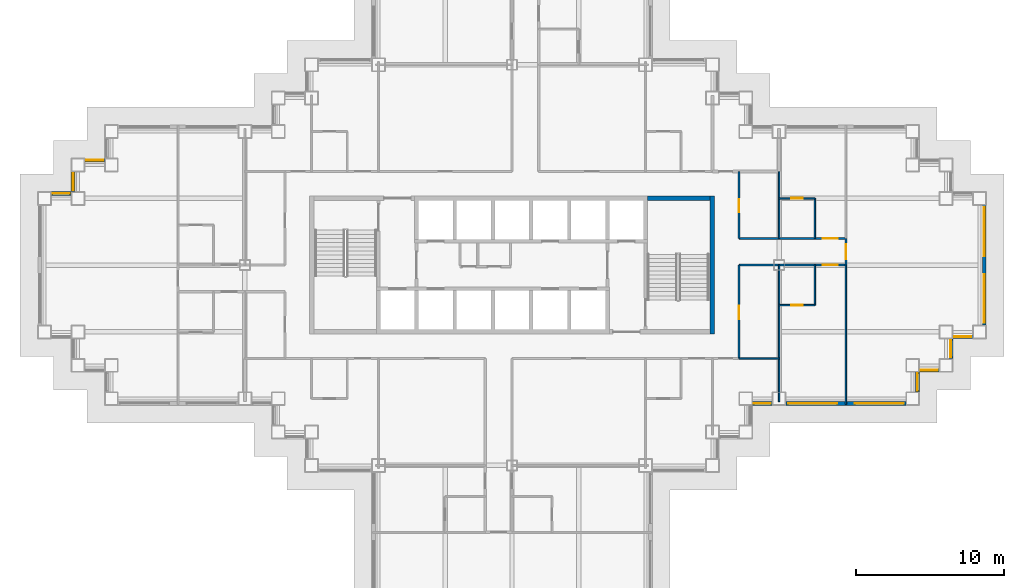
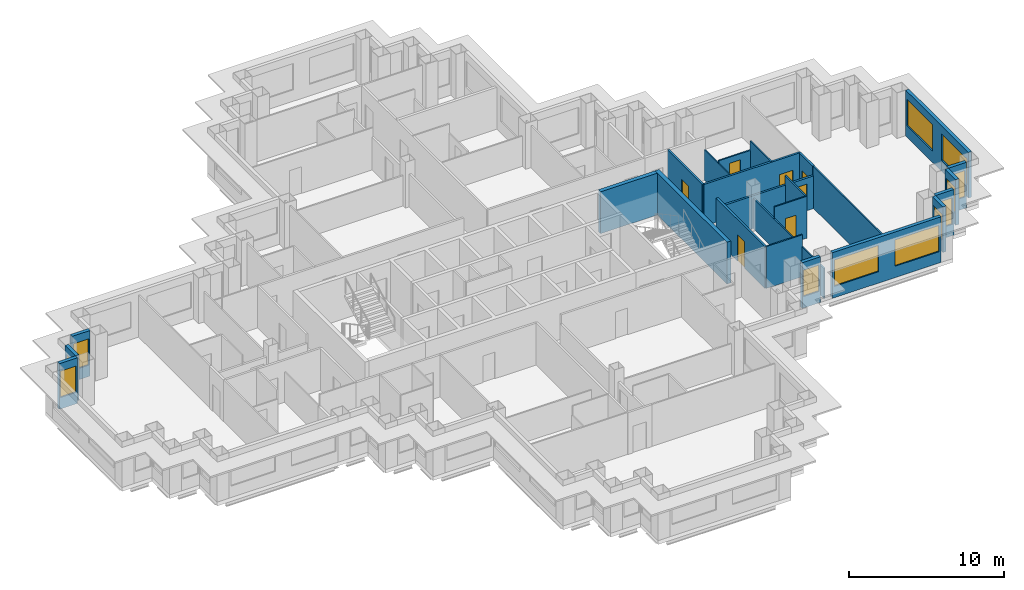
# One storey, part 6 of 14: 25 walls, 12 windows, 7 doors, 19 openings.
"""IFC4 building model written with IfcOpenShell, lengths in metres."""

from ifc_helpers import new_model, si_unit, direction, frame, frame_2d, origin, place, context, subcontext, project, spatial, rectangle, extrude, material, layer, layer_set, type_object, element, fill, save


model = new_model("IFC4")

# Units and contexts
model_context = context("Model", 3, precision=1e-05, world=origin(), true_north=direction((0.0, 1.0)))
body_context = subcontext(model_context, "Body", "Model", "MODEL_VIEW")
ifc_project = project(units=[si_unit("LENGTHUNIT", "METRE"), si_unit("AREAUNIT", "SQUARE_METRE"), si_unit("VOLUMEUNIT", "CUBIC_METRE"), si_unit("PLANEANGLEUNIT", "RADIAN"), si_unit("MASSUNIT", "GRAM", prefix="KILO")], contexts=[model_context])

# Site, building, storey
site_placement = place(None, origin())
site = spatial("IfcSite", under=ifc_project, at=site_placement, CompositionType="ELEMENT")
building_placement = place(site_placement, origin())
building = spatial("IfcBuilding", under=site, at=building_placement, Name="Caravel Reach Hotel and Residences", CompositionType="ELEMENT")
storey_placement = place(building_placement, frame((0.0, 0.0, 118.800048828125)))
storey = spatial("IfcBuildingStorey", under=building, at=storey_placement, Name="L29", CompositionType="ELEMENT", Elevation=118.800048828125)

# Wall, opening, door
ifc_material_1 = material(Name="Gypsum board on steel stud", Category="steel")
ifc_layer_1 = layer(ifc_material_1, 0.10009765625)
ifc_layer_set_1 = layer_set([ifc_layer_1], Name="Bathroom pod wall 100 mm")
wall_type_1 = type_object("IfcWallType", Name="Bathroom pod wall 100 mm", PredefinedType="PARTITIONING", material=ifc_layer_set_1)
wall_1_placement = place(storey_placement, frame((49.5, 24.300048828125, 0.0), z_axis=(0.0, 0.0, 1.0), x_axis=(1.0, 0.0, 0.0)))
wall_1 = element("IfcWall", 1, at=wall_1_placement, inside=storey, type_object=wall_type_1, Name="L29 wall w072", PredefinedType="PARTITIONING", context=body_context, shape_type="SweptSolid", body=[
    extrude(rectangle(XDim=2.39990234375, YDim=0.10009765625, at=frame_2d((1.199951171875, 0.0))), origin(), (0.0, 0.0, 1.0), 3.300048828125),
])
opening_1_placement = place(wall_1_placement, frame((0.800048828125, 0.0, 0.0)))
opening_1 = element("IfcOpeningElement", 2, at=opening_1_placement, cuts=wall_1, Name="Opening D29-021", PredefinedType="OPENING", context=body_context, shape_type="SweptSolid", body=[
    extrude(rectangle(XDim=0.800048828125, YDim=2.10009765625, at=frame_2d((0.39990234375, 1.050048828125))), frame((0.0, 0.06005859375, 0.0), z_axis=(0.0, -1.0, 0.0), x_axis=(1.0, 0.0, 0.0)), (0.0, 0.0, 1.0), 0.1201171875),
])
ifc_material_2 = material(Name="Timber and steel door leaf", Category="steel")
door_type_1 = type_object("IfcDoorType", Name="Bathroom door 800 x 2100", OperationType="SINGLE_SWING_LEFT", PredefinedType="DOOR", material=ifc_material_2)
door_1_placement = place(opening_1_placement, origin())
door_1 = element("IfcDoor", 3, at=door_1_placement, inside=storey, type_object=door_type_1, Name="door D29-021", OperationType="SINGLE_SWING_RIGHT", OverallHeight=2.10009765625, OverallWidth=0.800048828125, PredefinedType="DOOR", context=body_context, shape_type="SweptSolid", body=[
    extrude(rectangle(XDim=0.800048828125, YDim=2.10009765625, at=frame_2d((0.39990234375, 1.050048828125))), frame((0.0, 0.02490234375, 0.0), z_axis=(0.0, -1.0, 0.0), x_axis=(1.0, 0.0, 0.0)), (0.0, 0.0, 1.0), 0.050048828125),
])
fill(opening_1, door_1)

wall_2_placement = place(storey_placement, frame((49.5, 31.5, 0.0), z_axis=(0.0, 0.0, 1.0), x_axis=(1.0, 0.0, 0.0)))
wall_2 = element("IfcWall", 4, at=wall_2_placement, inside=storey, type_object=wall_type_1, Name="L29 wall w074", PredefinedType="PARTITIONING", context=body_context, shape_type="SweptSolid", body=[
    extrude(rectangle(XDim=2.39990234375, YDim=0.10009765625, at=frame_2d((1.199951171875, 0.0))), origin(), (0.0, 0.0, 1.0), 2.579833984375),
])
opening_2_placement = place(wall_2_placement, frame((0.800048828125, 0.0, 0.0)))
opening_2 = element("IfcOpeningElement", 5, at=opening_2_placement, cuts=wall_2, Name="Opening D29-023", PredefinedType="OPENING", context=body_context, shape_type="SweptSolid", body=[
    extrude(rectangle(XDim=0.800048828125, YDim=2.10009765625, at=frame_2d((0.39990234375, 1.050048828125))), frame((0.0, 0.06005859375, 0.0), z_axis=(0.0, -1.0, 0.0), x_axis=(1.0, 0.0, 0.0)), (0.0, 0.0, 1.0), 0.1201171875),
])
door_2_placement = place(opening_2_placement, origin())
door_2 = element("IfcDoor", 6, at=door_2_placement, inside=storey, type_object=door_type_1, Name="door D29-023", OperationType="SINGLE_SWING_RIGHT", OverallHeight=2.10009765625, OverallWidth=0.800048828125, PredefinedType="DOOR", context=body_context, shape_type="SweptSolid", body=[
    extrude(rectangle(XDim=0.800048828125, YDim=2.10009765625, at=frame_2d((0.39990234375, 1.050048828125))), frame((0.0, 0.02490234375, 0.0), z_axis=(0.0, -1.0, 0.0), x_axis=(1.0, 0.0, 0.0)), (0.0, 0.0, 1.0), 0.050048828125),
])
fill(opening_2, door_2)

# Walls
for number, where, z_axis, x_axis, name in (
    (7, (51.89990234375, 28.800048828125, 0.0), (0.0, 0.0, 1.0), (0.0, 1.0, 0.0), "L29 wall w092"),
    (8, (51.89990234375, 24.300048828125, 0.0), (0.0, 0.0, 1.0), (0.0, 1.0, 0.0), "L29 wall w093"),
):
    element("IfcWall", number, at=place(storey_placement, frame(where, z_axis=z_axis, x_axis=x_axis)), inside=storey, type_object=wall_type_1, Name=name, PredefinedType="PARTITIONING", context=body_context, shape_type="SweptSolid", body=[
        extrude(rectangle(XDim=2.699951171875, YDim=0.10009765625, at=frame_2d((1.35009765625, 0.0))), origin(), (0.0, 0.0, 1.0), 3.300048828125),
    ])
ifc_material_3 = material(Name="Concrete C60", Category="concrete")
ifc_layer_2 = layer(ifc_material_3, 0.300048828125)
ifc_layer_set_2 = layer_set([ifc_layer_2], Name="Core wall 300 mm EI 120")
wall_type_2 = type_object("IfcWallType", Name="Core wall 300 mm EI 120", PredefinedType="SHEAR", material=ifc_layer_set_2)
wall_3_placement = place(storey_placement, frame((40.625, 31.5, 0.0), z_axis=(0.0, 0.0, 1.0), x_axis=(1.0, 0.0, 0.0)))
element("IfcWall", 9, at=wall_3_placement, inside=storey, type_object=wall_type_2, Name="L29 core wall N2", PredefinedType="SHEAR", context=body_context, shape_type="SweptSolid", body=[
    extrude(rectangle(XDim=4.22509765625, YDim=0.300048828125, at=frame_2d((2.112548828125, 0.0))), origin(), (0.0, 0.0, 1.0), 3.300048828125),
])
wall_4_placement = place(storey_placement, frame((45.0, 22.35009765625, 0.0), z_axis=(0.0, 0.0, 1.0), x_axis=(0.0, 1.0, 0.0)))
element("IfcWall", 10, at=wall_4_placement, inside=storey, type_object=wall_type_2, Name="L29 core wall E", PredefinedType="SHEAR", context=body_context, shape_type="SweptSolid", body=[
    extrude(rectangle(XDim=9.2998046875, YDim=0.300048828125, at=frame_2d((4.64990234375, 0.0))), origin(), (0.0, 0.0, 1.0), 3.300048828125),
])

# Wall, opening, door
ifc_material_4 = material(Name="Gypsum board on steel stud, fire-rated", Category="steel")
ifc_layer_3 = layer(ifc_material_4, 0.14990234375)
ifc_layer_set_3 = layer_set([ifc_layer_3], Name="Corridor wall 150 mm EI 60")
wall_type_3 = type_object("IfcWallType", Name="Corridor wall 150 mm EI 60", PredefinedType="PARTITIONING", material=ifc_layer_set_3)
wall_5_placement = place(storey_placement, frame((46.800048828125, 27.0, 0.0), z_axis=(0.0, 0.0, 1.0), x_axis=(1.0, 0.0, 0.0)))
wall_5 = element("IfcWall", 11, at=wall_5_placement, inside=storey, type_object=wall_type_3, Name="L29 wall w010", PredefinedType="PARTITIONING", context=body_context, shape_type="SweptSolid", body=[
    extrude(rectangle(XDim=7.199951171875, YDim=0.14990234375, at=frame_2d((3.60009765625, 0.0))), origin(), (0.0, 0.0, 1.0), 2.579833984375),
])
opening_3_placement = place(wall_5_placement, frame((5.64990234375, 0.0, 0.0)))
opening_3 = element("IfcOpeningElement", 12, at=opening_3_placement, cuts=wall_5, Name="Opening D29-020", PredefinedType="OPENING", context=body_context, shape_type="SweptSolid", body=[
    extrude(rectangle(XDim=1.0, YDim=2.10009765625, at=frame_2d((0.5, 1.050048828125))), frame((0.0, 0.0849609375, 0.0), z_axis=(0.0, -1.0, 0.0), x_axis=(1.0, 0.0, 0.0)), (0.0, 0.0, 1.0), 0.169921875),
])
ifc_material_5 = material(Name="Steel fire door leaf", Category="steel")
door_type_2 = type_object("IfcDoorType", Name="Guest room door 1000 x 2100 EI 30", OperationType="SINGLE_SWING_LEFT", PredefinedType="DOOR", material=ifc_material_5)
door_3_placement = place(opening_3_placement, origin())
door_3 = element("IfcDoor", 13, at=door_3_placement, inside=storey, type_object=door_type_2, Name="door D29-020", OperationType="SINGLE_SWING_RIGHT", OverallHeight=2.10009765625, OverallWidth=1.0, PredefinedType="DOOR", context=body_context, shape_type="SweptSolid", body=[
    extrude(rectangle(XDim=1.0, YDim=2.10009765625, at=frame_2d((0.5, 1.050048828125))), frame((0.0, 0.02490234375, 0.0), z_axis=(0.0, -1.0, 0.0), x_axis=(1.0, 0.0, 0.0)), (0.0, 0.0, 1.0), 0.050048828125),
])
fill(opening_3, door_3)

wall_6_placement = place(storey_placement, frame((46.800048828125, 28.800048828125, 0.0), z_axis=(0.0, 0.0, 1.0), x_axis=(1.0, 0.0, 0.0)))
wall_6 = element("IfcWall", 14, at=wall_6_placement, inside=storey, type_object=wall_type_3, Name="L29 wall w013", PredefinedType="PARTITIONING", context=body_context, shape_type="SweptSolid", body=[
    extrude(rectangle(XDim=7.199951171875, YDim=0.14990234375, at=frame_2d((3.60009765625, 0.0))), origin(), (0.0, 0.0, 1.0), 3.300048828125),
])
opening_4_placement = place(wall_6_placement, frame((5.64990234375, 0.0, 0.0)))
opening_4 = element("IfcOpeningElement", 15, at=opening_4_placement, cuts=wall_6, Name="Opening D29-022", PredefinedType="OPENING", context=body_context, shape_type="SweptSolid", body=[
    extrude(rectangle(XDim=1.0, YDim=2.10009765625, at=frame_2d((0.5, 1.050048828125))), frame((0.0, 0.0849609375, 0.0), z_axis=(0.0, -1.0, 0.0), x_axis=(1.0, 0.0, 0.0)), (0.0, 0.0, 1.0), 0.169921875),
])
door_4_placement = place(opening_4_placement, origin())
door_4 = element("IfcDoor", 16, at=door_4_placement, inside=storey, type_object=door_type_2, Name="door D29-022", OperationType="SINGLE_SWING_RIGHT", OverallHeight=2.10009765625, OverallWidth=1.0, PredefinedType="DOOR", context=body_context, shape_type="SweptSolid", body=[
    extrude(rectangle(XDim=1.0, YDim=2.10009765625, at=frame_2d((0.5, 1.050048828125))), frame((0.0, 0.02490234375, 0.0), z_axis=(0.0, -1.0, 0.0), x_axis=(1.0, 0.0, 0.0)), (0.0, 0.0, 1.0), 0.050048828125),
])
fill(opening_4, door_4)

wall_7_placement = place(storey_placement, frame((46.800048828125, 28.800048828125, 0.0), z_axis=(0.0, 0.0, 1.0), x_axis=(0.0, 1.0, 0.0)))
wall_7 = element("IfcWall", 17, at=wall_7_placement, inside=storey, type_object=wall_type_3, Name="L29 wall w033", PredefinedType="PARTITIONING", context=body_context, shape_type="SweptSolid", body=[
    extrude(rectangle(XDim=4.5, YDim=0.14990234375, at=frame_2d((2.25, 0.0))), origin(), (0.0, 0.0, 1.0), 3.300048828125),
])
opening_5_placement = place(wall_7_placement, frame((1.75, 0.0, 0.0)))
opening_5 = element("IfcOpeningElement", 18, at=opening_5_placement, cuts=wall_7, Name="Opening D29-057", PredefinedType="OPENING", context=body_context, shape_type="SweptSolid", body=[
    extrude(rectangle(XDim=0.89990234375, YDim=2.10009765625, at=frame_2d((0.449951171875, 1.050048828125))), frame((0.0, 0.0849609375, 0.0), z_axis=(0.0, -1.0, 0.0), x_axis=(1.0, 0.0, 0.0)), (0.0, 0.0, 1.0), 0.169921875),
])
ifc_material_6 = material(Name="Timber and steel door leaf", Category="steel")
door_type_3 = type_object("IfcDoorType", Name="Door 900 x 2100 timber", OperationType="SINGLE_SWING_LEFT", PredefinedType="DOOR", material=ifc_material_6)
door_5_placement = place(opening_5_placement, origin())
door_5 = element("IfcDoor", 19, at=door_5_placement, inside=storey, type_object=door_type_3, Name="door D29-057", OperationType="SINGLE_SWING_LEFT", OverallHeight=2.10009765625, OverallWidth=0.89990234375, PredefinedType="DOOR", context=body_context, shape_type="SweptSolid", body=[
    extrude(rectangle(XDim=0.89990234375, YDim=2.10009765625, at=frame_2d((0.449951171875, 1.050048828125))), frame((0.0, 0.02490234375, 0.0), z_axis=(0.0, -1.0, 0.0), x_axis=(1.0, 0.0, 0.0)), (0.0, 0.0, 1.0), 0.050048828125),
])
fill(opening_5, door_5)

wall_8_placement = place(storey_placement, frame((46.800048828125, 20.699951171875, 0.0), z_axis=(0.0, 0.0, 1.0), x_axis=(0.0, 1.0, 0.0)))
wall_8 = element("IfcWall", 20, at=wall_8_placement, inside=storey, type_object=wall_type_3, Name="L29 wall w034", PredefinedType="PARTITIONING", context=body_context, shape_type="SweptSolid", body=[
    extrude(rectangle(XDim=6.300048828125, YDim=0.14990234375, at=frame_2d((3.14990234375, 0.0))), origin(), (0.0, 0.0, 1.0), 3.300048828125),
])
opening_6_placement = place(wall_8_placement, frame((2.64990234375, 0.0, 0.0)))
opening_6 = element("IfcOpeningElement", 21, at=opening_6_placement, cuts=wall_8, Name="Opening D29-056", PredefinedType="OPENING", context=body_context, shape_type="SweptSolid", body=[
    extrude(rectangle(XDim=0.89990234375, YDim=2.10009765625, at=frame_2d((0.449951171875, 1.050048828125))), frame((0.0, 0.0849609375, 0.0), z_axis=(0.0, -1.0, 0.0), x_axis=(1.0, 0.0, 0.0)), (0.0, 0.0, 1.0), 0.169921875),
])
door_6_placement = place(opening_6_placement, origin())
door_6 = element("IfcDoor", 22, at=door_6_placement, inside=storey, type_object=door_type_3, Name="door D29-056", OperationType="SINGLE_SWING_LEFT", OverallHeight=2.10009765625, OverallWidth=0.89990234375, PredefinedType="DOOR", context=body_context, shape_type="SweptSolid", body=[
    extrude(rectangle(XDim=0.89990234375, YDim=2.10009765625, at=frame_2d((0.449951171875, 1.050048828125))), frame((0.0, 0.02490234375, 0.0), z_axis=(0.0, -1.0, 0.0), x_axis=(1.0, 0.0, 0.0)), (0.0, 0.0, 1.0), 0.050048828125),
])
fill(opening_6, door_6)

wall_9_placement = place(storey_placement, frame((54.0, 27.0, 0.0), z_axis=(0.0, 0.0, 1.0), x_axis=(0.0, 1.0, 0.0)))
wall_9 = element("IfcWall", 23, at=wall_9_placement, inside=storey, type_object=wall_type_3, Name="L29 wall w035", PredefinedType="PARTITIONING", context=body_context, shape_type="SweptSolid", body=[
    extrude(rectangle(XDim=1.800048828125, YDim=0.14990234375, at=frame_2d((0.89990234375, 0.0))), origin(), (0.0, 0.0, 1.0), 3.300048828125),
])
opening_7_placement = place(wall_9_placement, frame((0.39990234375, 0.0, 0.0)))
opening_7 = element("IfcOpeningElement", 24, at=opening_7_placement, cuts=wall_9, Name="Opening D29-036", PredefinedType="OPENING", context=body_context, shape_type="SweptSolid", body=[
    extrude(rectangle(XDim=1.0, YDim=2.10009765625, at=frame_2d((0.5, 1.050048828125))), frame((0.0, 0.0849609375, 0.0), z_axis=(0.0, -1.0, 0.0), x_axis=(1.0, 0.0, 0.0)), (0.0, 0.0, 1.0), 0.169921875),
])
door_7_placement = place(opening_7_placement, origin())
door_7 = element("IfcDoor", 25, at=door_7_placement, inside=storey, type_object=door_type_2, Name="door D29-036", OperationType="SINGLE_SWING_LEFT", OverallHeight=2.10009765625, OverallWidth=1.0, PredefinedType="DOOR", context=body_context, shape_type="SweptSolid", body=[
    extrude(rectangle(XDim=1.0, YDim=2.10009765625, at=frame_2d((0.5, 1.050048828125))), frame((0.0, 0.02490234375, 0.0), z_axis=(0.0, -1.0, 0.0), x_axis=(1.0, 0.0, 0.0)), (0.0, 0.0, 1.0), 0.050048828125),
])
fill(opening_7, door_7)

# Wall, opening, window
ifc_material_7 = material(Name="Insulated rainscreen wall, aluminium cladding", Category="aluminium")
ifc_layer_4 = layer(ifc_material_7, 0.25)
ifc_layer_set_4 = layer_set([ifc_layer_4], Name="EW1 Tower rainscreen wall")
wall_type_4 = type_object("IfcWallType", Name="EW1 Tower rainscreen wall", PredefinedType="SOLIDWALL", material=ifc_layer_set_4)
wall_10_placement = place(storey_placement, frame((47.699951171875, 17.675048828125, 0.0), z_axis=(0.0, 0.0, 1.0), x_axis=(1.0, 0.0, 0.0)))
wall_10 = element("IfcWall", 26, at=wall_10_placement, inside=storey, type_object=wall_type_4, Name="External wall L29 S15.1", PredefinedType="SOLIDWALL", context=body_context, shape_type="SweptSolid", body=[
    extrude(rectangle(XDim=1.35009765625, YDim=0.25, at=frame_2d((0.675048828125, 0.0))), origin(), (0.0, 0.0, 1.0), 3.599853515625),
])
opening_8_placement = place(wall_10_placement, frame((0.10009765625, 0.0, 0.89990234375)))
opening_8 = element("IfcOpeningElement", 27, at=opening_8_placement, cuts=wall_10, Name="Opening WN8", PredefinedType="OPENING", context=body_context, shape_type="SweptSolid", body=[
    extrude(rectangle(XDim=1.14990234375, YDim=2.080078125, at=frame_2d((0.574951171875, 1.0400390625))), frame((0.0, 0.135009765625, 0.0), z_axis=(0.0, -1.0, 0.0), x_axis=(1.0, 0.0, 0.0)), (0.0, 0.0, 1.0), 0.27001953125),
])
ifc_material_8 = material(Name="Dark low-e glazing in black aluminium frame", Category="aluminium")
window_type_1 = type_object("IfcWindowType", Name="Hotel suite corner window 1150 x 2080", PartitioningType="SINGLE_PANEL", PredefinedType="WINDOW", material=ifc_material_8)
window_1_placement = place(opening_8_placement, origin())
window_1 = element("IfcWindow", 28, at=window_1_placement, inside=storey, type_object=window_type_1, Name="Window L29 S15.1.1", OverallHeight=2.080078125, OverallWidth=1.14990234375, PartitioningType="SINGLE_PANEL", PredefinedType="WINDOW", context=body_context, shape_type="SweptSolid", body=[
    extrude(rectangle(XDim=1.14990234375, YDim=2.080078125, at=frame_2d((0.574951171875, 1.0400390625))), frame((0.0, 0.030029296875, 0.0), z_axis=(0.0, -1.0, 0.0), x_axis=(1.0, 0.0, 0.0)), (0.0, 0.0, 1.0), 0.06005859375),
])
fill(opening_8, window_1)

# Wall, openings, windows
wall_11_placement = place(storey_placement, frame((49.949951171875, 17.675048828125, 0.0), z_axis=(0.0, 0.0, 1.0), x_axis=(1.0, 0.0, 0.0)))
wall_11 = element("IfcWall", 29, at=wall_11_placement, inside=storey, type_object=wall_type_4, Name="External wall L29 S15.2", PredefinedType="SOLIDWALL", context=body_context, shape_type="SweptSolid", body=[
    extrude(rectangle(XDim=8.10009765625, YDim=0.25, at=frame_2d((4.050048828125, 0.0))), origin(), (0.0, 0.0, 1.0), 3.599853515625),
])
opening_9_placement = place(wall_11_placement, frame((0.14990234375, 0.0, 0.89990234375)))
opening_9 = element("IfcOpeningElement", 30, at=opening_9_placement, cuts=wall_11, Name="Opening WN4", PredefinedType="OPENING", context=body_context, shape_type="SweptSolid", body=[
    extrude(rectangle(XDim=3.300048828125, YDim=2.080078125, at=frame_2d((1.64990234375, 1.0400390625))), frame((0.0, 0.135009765625, 0.0), z_axis=(0.0, -1.0, 0.0), x_axis=(1.0, 0.0, 0.0)), (0.0, 0.0, 1.0), 0.27001953125),
])
opening_10_placement = place(wall_11_placement, frame((4.64990234375, 0.0, 0.89990234375)))
opening_10 = element("IfcOpeningElement", 31, at=opening_10_placement, cuts=wall_11, Name="Opening WN4", PredefinedType="OPENING", context=body_context, shape_type="SweptSolid", body=[
    extrude(rectangle(XDim=3.300048828125, YDim=2.080078125, at=frame_2d((1.64990234375, 1.0400390625))), frame((0.0, 0.135009765625, 0.0), z_axis=(0.0, -1.0, 0.0), x_axis=(1.0, 0.0, 0.0)), (0.0, 0.0, 1.0), 0.27001953125),
])
ifc_material_9 = material(Name="Dark low-e glazing in black aluminium frame", Category="aluminium")
window_type_2 = type_object("IfcWindowType", Name="Hotel guest room window 3300 x 2080", PartitioningType="SINGLE_PANEL", PredefinedType="WINDOW", material=ifc_material_9)
window_2_placement = place(opening_9_placement, origin())
window_2 = element("IfcWindow", 32, at=window_2_placement, inside=storey, type_object=window_type_2, Name="Window L29 S15.2.1", OverallHeight=2.080078125, OverallWidth=3.300048828125, PartitioningType="SINGLE_PANEL", PredefinedType="WINDOW", context=body_context, shape_type="SweptSolid", body=[
    extrude(rectangle(XDim=3.300048828125, YDim=2.080078125, at=frame_2d((1.64990234375, 1.0400390625))), frame((0.0, 0.030029296875, 0.0), z_axis=(0.0, -1.0, 0.0), x_axis=(1.0, 0.0, 0.0)), (0.0, 0.0, 1.0), 0.06005859375),
])
fill(opening_9, window_2)
window_3_placement = place(opening_10_placement, origin())
window_3 = element("IfcWindow", 33, at=window_3_placement, inside=storey, type_object=window_type_2, Name="Window L29 S15.2.2", OverallHeight=2.080078125, OverallWidth=3.300048828125, PartitioningType="SINGLE_PANEL", PredefinedType="WINDOW", context=body_context, shape_type="SweptSolid", body=[
    extrude(rectangle(XDim=3.300048828125, YDim=2.080078125, at=frame_2d((1.64990234375, 1.0400390625))), frame((0.0, 0.030029296875, 0.0), z_axis=(0.0, -1.0, 0.0), x_axis=(1.0, 0.0, 0.0)), (0.0, 0.0, 1.0), 0.06005859375),
])
fill(opening_10, window_3)

# Wall, opening, window
wall_12_placement = place(storey_placement, frame((58.824951171875, 18.449951171875, 0.0), z_axis=(0.0, 0.0, 1.0), x_axis=(0.0, 1.0, 0.0)))
wall_12 = element("IfcWall", 34, at=wall_12_placement, inside=storey, type_object=wall_type_4, Name="External wall L29 E16.1", PredefinedType="SOLIDWALL", context=body_context, shape_type="SweptSolid", body=[
    extrude(rectangle(XDim=1.35009765625, YDim=0.25, at=frame_2d((0.675048828125, 0.0))), origin(), (0.0, 0.0, 1.0), 3.599853515625),
])
opening_11_placement = place(wall_12_placement, frame((0.10009765625, 0.0, 0.89990234375)))
opening_11 = element("IfcOpeningElement", 35, at=opening_11_placement, cuts=wall_12, Name="Opening WN8", PredefinedType="OPENING", context=body_context, shape_type="SweptSolid", body=[
    extrude(rectangle(XDim=1.14990234375, YDim=2.080078125, at=frame_2d((0.574951171875, 1.0400390625))), frame((0.0, 0.135009765625, 0.0), z_axis=(0.0, -1.0, 0.0), x_axis=(1.0, 0.0, 0.0)), (0.0, 0.0, 1.0), 0.27001953125),
])
window_4_placement = place(opening_11_placement, origin())
window_4 = element("IfcWindow", 36, at=window_4_placement, inside=storey, type_object=window_type_1, Name="Window L29 E16.1.1", OverallHeight=2.080078125, OverallWidth=1.14990234375, PartitioningType="SINGLE_PANEL", PredefinedType="WINDOW", context=body_context, shape_type="SweptSolid", body=[
    extrude(rectangle(XDim=1.14990234375, YDim=2.080078125, at=frame_2d((0.574951171875, 1.0400390625))), frame((0.0, 0.030029296875, 0.0), z_axis=(0.0, -1.0, 0.0), x_axis=(1.0, 0.0, 0.0)), (0.0, 0.0, 1.0), 0.06005859375),
])
fill(opening_11, window_4)

wall_13_placement = place(storey_placement, frame((58.949951171875, 19.925048828125, 0.0), z_axis=(0.0, 0.0, 1.0), x_axis=(1.0, 0.0, 0.0)))
wall_13 = element("IfcWall", 37, at=wall_13_placement, inside=storey, type_object=wall_type_4, Name="External wall L29 S17.1", PredefinedType="SOLIDWALL", context=body_context, shape_type="SweptSolid", body=[
    extrude(rectangle(XDim=1.35009765625, YDim=0.25, at=frame_2d((0.675048828125, 0.0))), origin(), (0.0, 0.0, 1.0), 3.599853515625),
])
opening_12_placement = place(wall_13_placement, frame((0.10009765625, 0.0, 0.89990234375)))
opening_12 = element("IfcOpeningElement", 38, at=opening_12_placement, cuts=wall_13, Name="Opening WN8", PredefinedType="OPENING", context=body_context, shape_type="SweptSolid", body=[
    extrude(rectangle(XDim=1.14990234375, YDim=2.080078125, at=frame_2d((0.574951171875, 1.0400390625))), frame((0.0, 0.135009765625, 0.0), z_axis=(0.0, -1.0, 0.0), x_axis=(1.0, 0.0, 0.0)), (0.0, 0.0, 1.0), 0.27001953125),
])
window_5_placement = place(opening_12_placement, origin())
window_5 = element("IfcWindow", 39, at=window_5_placement, inside=storey, type_object=window_type_1, Name="Window L29 S17.1.1", OverallHeight=2.080078125, OverallWidth=1.14990234375, PartitioningType="SINGLE_PANEL", PredefinedType="WINDOW", context=body_context, shape_type="SweptSolid", body=[
    extrude(rectangle(XDim=1.14990234375, YDim=2.080078125, at=frame_2d((0.574951171875, 1.0400390625))), frame((0.0, 0.030029296875, 0.0), z_axis=(0.0, -1.0, 0.0), x_axis=(1.0, 0.0, 0.0)), (0.0, 0.0, 1.0), 0.06005859375),
])
fill(opening_12, window_5)

wall_14_placement = place(storey_placement, frame((61.074951171875, 20.699951171875, 0.0), z_axis=(0.0, 0.0, 1.0), x_axis=(0.0, 1.0, 0.0)))
wall_14 = element("IfcWall", 40, at=wall_14_placement, inside=storey, type_object=wall_type_4, Name="External wall L29 E18.1", PredefinedType="SOLIDWALL", context=body_context, shape_type="SweptSolid", body=[
    extrude(rectangle(XDim=1.35009765625, YDim=0.25, at=frame_2d((0.675048828125, 0.0))), origin(), (0.0, 0.0, 1.0), 3.599853515625),
])
opening_13_placement = place(wall_14_placement, frame((0.10009765625, 0.0, 0.89990234375)))
opening_13 = element("IfcOpeningElement", 41, at=opening_13_placement, cuts=wall_14, Name="Opening WN8", PredefinedType="OPENING", context=body_context, shape_type="SweptSolid", body=[
    extrude(rectangle(XDim=1.14990234375, YDim=2.080078125, at=frame_2d((0.574951171875, 1.0400390625))), frame((0.0, 0.135009765625, 0.0), z_axis=(0.0, -1.0, 0.0), x_axis=(1.0, 0.0, 0.0)), (0.0, 0.0, 1.0), 0.27001953125),
])
window_6_placement = place(opening_13_placement, origin())
window_6 = element("IfcWindow", 42, at=window_6_placement, inside=storey, type_object=window_type_1, Name="Window L29 E18.1.1", OverallHeight=2.080078125, OverallWidth=1.14990234375, PartitioningType="SINGLE_PANEL", PredefinedType="WINDOW", context=body_context, shape_type="SweptSolid", body=[
    extrude(rectangle(XDim=1.14990234375, YDim=2.080078125, at=frame_2d((0.574951171875, 1.0400390625))), frame((0.0, 0.030029296875, 0.0), z_axis=(0.0, -1.0, 0.0), x_axis=(1.0, 0.0, 0.0)), (0.0, 0.0, 1.0), 0.06005859375),
])
fill(opening_13, window_6)

wall_15_placement = place(storey_placement, frame((61.199951171875, 22.175048828125, 0.0), z_axis=(0.0, 0.0, 1.0), x_axis=(1.0, 0.0, 0.0)))
wall_15 = element("IfcWall", 43, at=wall_15_placement, inside=storey, type_object=wall_type_4, Name="External wall L29 S19.1", PredefinedType="SOLIDWALL", context=body_context, shape_type="SweptSolid", body=[
    extrude(rectangle(XDim=1.35009765625, YDim=0.25, at=frame_2d((0.675048828125, 0.0))), origin(), (0.0, 0.0, 1.0), 3.599853515625),
])
opening_14_placement = place(wall_15_placement, frame((0.10009765625, 0.0, 0.89990234375)))
opening_14 = element("IfcOpeningElement", 44, at=opening_14_placement, cuts=wall_15, Name="Opening WN8", PredefinedType="OPENING", context=body_context, shape_type="SweptSolid", body=[
    extrude(rectangle(XDim=1.14990234375, YDim=2.080078125, at=frame_2d((0.574951171875, 1.0400390625))), frame((0.0, 0.135009765625, 0.0), z_axis=(0.0, -1.0, 0.0), x_axis=(1.0, 0.0, 0.0)), (0.0, 0.0, 1.0), 0.27001953125),
])
window_7_placement = place(opening_14_placement, origin())
window_7 = element("IfcWindow", 45, at=window_7_placement, inside=storey, type_object=window_type_1, Name="Window L29 S19.1.1", OverallHeight=2.080078125, OverallWidth=1.14990234375, PartitioningType="SINGLE_PANEL", PredefinedType="WINDOW", context=body_context, shape_type="SweptSolid", body=[
    extrude(rectangle(XDim=1.14990234375, YDim=2.080078125, at=frame_2d((0.574951171875, 1.0400390625))), frame((0.0, 0.030029296875, 0.0), z_axis=(0.0, -1.0, 0.0), x_axis=(1.0, 0.0, 0.0)), (0.0, 0.0, 1.0), 0.06005859375),
])
fill(opening_14, window_7)

# Wall, openings, windows
wall_16_placement = place(storey_placement, frame((63.324951171875, 22.949951171875, 0.0), z_axis=(0.0, 0.0, 1.0), x_axis=(0.0, 1.0, 0.0)))
wall_16 = element("IfcWall", 46, at=wall_16_placement, inside=storey, type_object=wall_type_4, Name="External wall L29 E20.1", PredefinedType="SOLIDWALL", context=body_context, shape_type="SweptSolid", body=[
    extrude(rectangle(XDim=8.10009765625, YDim=0.25, at=frame_2d((4.050048828125, 0.0))), origin(), (0.0, 0.0, 1.0), 3.599853515625),
])
opening_15_placement = place(wall_16_placement, frame((0.14990234375, 0.0, 0.89990234375)))
opening_15 = element("IfcOpeningElement", 47, at=opening_15_placement, cuts=wall_16, Name="Opening WN4", PredefinedType="OPENING", context=body_context, shape_type="SweptSolid", body=[
    extrude(rectangle(XDim=3.300048828125, YDim=2.080078125, at=frame_2d((1.64990234375, 1.0400390625))), frame((0.0, 0.135009765625, 0.0), z_axis=(0.0, -1.0, 0.0), x_axis=(1.0, 0.0, 0.0)), (0.0, 0.0, 1.0), 0.27001953125),
])
opening_16_placement = place(wall_16_placement, frame((4.64990234375, 0.0, 0.89990234375)))
opening_16 = element("IfcOpeningElement", 48, at=opening_16_placement, cuts=wall_16, Name="Opening WN4", PredefinedType="OPENING", context=body_context, shape_type="SweptSolid", body=[
    extrude(rectangle(XDim=3.300048828125, YDim=2.080078125, at=frame_2d((1.64990234375, 1.0400390625))), frame((0.0, 0.135009765625, 0.0), z_axis=(0.0, -1.0, 0.0), x_axis=(1.0, 0.0, 0.0)), (0.0, 0.0, 1.0), 0.27001953125),
])
window_8_placement = place(opening_15_placement, origin())
window_8 = element("IfcWindow", 49, at=window_8_placement, inside=storey, type_object=window_type_2, Name="Window L29 E20.1.1", OverallHeight=2.080078125, OverallWidth=3.300048828125, PartitioningType="SINGLE_PANEL", PredefinedType="WINDOW", context=body_context, shape_type="SweptSolid", body=[
    extrude(rectangle(XDim=3.300048828125, YDim=2.080078125, at=frame_2d((1.64990234375, 1.0400390625))), frame((0.0, 0.030029296875, 0.0), z_axis=(0.0, -1.0, 0.0), x_axis=(1.0, 0.0, 0.0)), (0.0, 0.0, 1.0), 0.06005859375),
])
fill(opening_15, window_8)
window_9_placement = place(opening_16_placement, origin())
window_9 = element("IfcWindow", 50, at=window_9_placement, inside=storey, type_object=window_type_2, Name="Window L29 E20.1.2", OverallHeight=2.080078125, OverallWidth=3.300048828125, PartitioningType="SINGLE_PANEL", PredefinedType="WINDOW", context=body_context, shape_type="SweptSolid", body=[
    extrude(rectangle(XDim=3.300048828125, YDim=2.080078125, at=frame_2d((1.64990234375, 1.0400390625))), frame((0.0, 0.030029296875, 0.0), z_axis=(0.0, -1.0, 0.0), x_axis=(1.0, 0.0, 0.0)), (0.0, 0.0, 1.0), 0.06005859375),
])
fill(opening_16, window_9)

# Wall, opening, window
wall_17_placement = place(storey_placement, frame((4.050048828125, 34.074951171875, 0.0), z_axis=(0.0, 0.0, 1.0), x_axis=(-1.0, 0.0, 0.0)))
wall_17 = element("IfcWall", 51, at=wall_17_placement, inside=storey, type_object=wall_type_4, Name="External wall L29 N47.1", PredefinedType="SOLIDWALL", context=body_context, shape_type="SweptSolid", body=[
    extrude(rectangle(XDim=1.35009765625, YDim=0.25, at=frame_2d((0.675048828125, 0.0))), origin(), (0.0, 0.0, 1.0), 3.599853515625),
])
opening_17_placement = place(wall_17_placement, frame((0.10009765625, 0.0, 0.89990234375)))
opening_17 = element("IfcOpeningElement", 52, at=opening_17_placement, cuts=wall_17, Name="Opening WN8", PredefinedType="OPENING", context=body_context, shape_type="SweptSolid", body=[
    extrude(rectangle(XDim=1.14990234375, YDim=2.080078125, at=frame_2d((0.574951171875, 1.0400390625))), frame((0.0, 0.135009765625, 0.0), z_axis=(0.0, -1.0, 0.0), x_axis=(1.0, 0.0, 0.0)), (0.0, 0.0, 1.0), 0.27001953125),
])
window_10_placement = place(opening_17_placement, origin())
window_10 = element("IfcWindow", 53, at=window_10_placement, inside=storey, type_object=window_type_1, Name="Window L29 N47.1.1", OverallHeight=2.080078125, OverallWidth=1.14990234375, PartitioningType="SINGLE_PANEL", PredefinedType="WINDOW", context=body_context, shape_type="SweptSolid", body=[
    extrude(rectangle(XDim=1.14990234375, YDim=2.080078125, at=frame_2d((0.574951171875, 1.0400390625))), frame((0.0, 0.030029296875, 0.0), z_axis=(0.0, -1.0, 0.0), x_axis=(1.0, 0.0, 0.0)), (0.0, 0.0, 1.0), 0.06005859375),
])
fill(opening_17, window_10)

wall_18_placement = place(storey_placement, frame((1.925048828125, 33.300048828125, 0.0), z_axis=(0.0, 0.0, 1.0), x_axis=(0.0, -1.0, 0.0)))
wall_18 = element("IfcWall", 54, at=wall_18_placement, inside=storey, type_object=wall_type_4, Name="External wall L29 W48.1", PredefinedType="SOLIDWALL", context=body_context, shape_type="SweptSolid", body=[
    extrude(rectangle(XDim=1.35009765625, YDim=0.25, at=frame_2d((0.675048828125, 0.0))), origin(), (0.0, 0.0, 1.0), 3.599853515625),
])
opening_18_placement = place(wall_18_placement, frame((0.10009765625, 0.0, 0.89990234375)))
opening_18 = element("IfcOpeningElement", 55, at=opening_18_placement, cuts=wall_18, Name="Opening WN8", PredefinedType="OPENING", context=body_context, shape_type="SweptSolid", body=[
    extrude(rectangle(XDim=1.14990234375, YDim=2.080078125, at=frame_2d((0.574951171875, 1.0400390625))), frame((0.0, 0.135009765625, 0.0), z_axis=(0.0, -1.0, 0.0), x_axis=(1.0, 0.0, 0.0)), (0.0, 0.0, 1.0), 0.27001953125),
])
window_11_placement = place(opening_18_placement, origin())
window_11 = element("IfcWindow", 56, at=window_11_placement, inside=storey, type_object=window_type_1, Name="Window L29 W48.1.1", OverallHeight=2.080078125, OverallWidth=1.14990234375, PartitioningType="SINGLE_PANEL", PredefinedType="WINDOW", context=body_context, shape_type="SweptSolid", body=[
    extrude(rectangle(XDim=1.14990234375, YDim=2.080078125, at=frame_2d((0.574951171875, 1.0400390625))), frame((0.0, 0.030029296875, 0.0), z_axis=(0.0, -1.0, 0.0), x_axis=(1.0, 0.0, 0.0)), (0.0, 0.0, 1.0), 0.06005859375),
])
fill(opening_18, window_11)

wall_19_placement = place(storey_placement, frame((1.800048828125, 31.824951171875, 0.0), z_axis=(0.0, 0.0, 1.0), x_axis=(-1.0, 0.0, 0.0)))
wall_19 = element("IfcWall", 57, at=wall_19_placement, inside=storey, type_object=wall_type_4, Name="External wall L29 N49.1", PredefinedType="SOLIDWALL", context=body_context, shape_type="SweptSolid", body=[
    extrude(rectangle(XDim=1.35009765625, YDim=0.25, at=frame_2d((0.675048828125, 0.0))), origin(), (0.0, 0.0, 1.0), 3.599853515625),
])
opening_19_placement = place(wall_19_placement, frame((0.10009765625, 0.0, 0.89990234375)))
opening_19 = element("IfcOpeningElement", 58, at=opening_19_placement, cuts=wall_19, Name="Opening WN8", PredefinedType="OPENING", context=body_context, shape_type="SweptSolid", body=[
    extrude(rectangle(XDim=1.14990234375, YDim=2.080078125, at=frame_2d((0.574951171875, 1.0400390625))), frame((0.0, 0.135009765625, 0.0), z_axis=(0.0, -1.0, 0.0), x_axis=(1.0, 0.0, 0.0)), (0.0, 0.0, 1.0), 0.27001953125),
])
window_12_placement = place(opening_19_placement, origin())
window_12 = element("IfcWindow", 59, at=window_12_placement, inside=storey, type_object=window_type_1, Name="Window L29 N49.1.1", OverallHeight=2.080078125, OverallWidth=1.14990234375, PartitioningType="SINGLE_PANEL", PredefinedType="WINDOW", context=body_context, shape_type="SweptSolid", body=[
    extrude(rectangle(XDim=1.14990234375, YDim=2.080078125, at=frame_2d((0.574951171875, 1.0400390625))), frame((0.0, 0.030029296875, 0.0), z_axis=(0.0, -1.0, 0.0), x_axis=(1.0, 0.0, 0.0)), (0.0, 0.0, 1.0), 0.06005859375),
])
fill(opening_19, window_12)

# Walls
ifc_material_10 = material(Name="Gypsum board on steel stud", Category="steel")
ifc_layer_5 = layer(ifc_material_10, 0.10009765625)
ifc_layer_set_5 = layer_set([ifc_layer_5], Name="Partition 100 mm")
wall_type_5 = type_object("IfcWallType", Name="Partition 100 mm", PredefinedType="PARTITIONING", material=ifc_layer_set_5)
wall_20_placement = place(storey_placement, frame((46.800048828125, 20.699951171875, 0.0), z_axis=(0.0, 0.0, 1.0), x_axis=(1.0, 0.0, 0.0)))
element("IfcWall", 60, at=wall_20_placement, inside=storey, type_object=wall_type_5, Name="L29 wall w040", PredefinedType="PARTITIONING", context=body_context, shape_type="SweptSolid", body=[
    extrude(rectangle(XDim=2.699951171875, YDim=0.10009765625, at=frame_2d((1.35009765625, 0.0))), origin(), (0.0, 0.0, 1.0), 3.300048828125),
])
wall_21_placement = place(storey_placement, frame((49.5, 28.800048828125, 0.0), z_axis=(0.0, 0.0, 1.0), x_axis=(0.0, 1.0, 0.0)))
element("IfcWall", 61, at=wall_21_placement, inside=storey, type_object=wall_type_5, Name="L29 wall w058", PredefinedType="PARTITIONING", context=body_context, shape_type="SweptSolid", body=[
    extrude(rectangle(XDim=4.5, YDim=0.10009765625, at=frame_2d((2.25, 0.0))), origin(), (0.0, 0.0, 1.0), 2.3798828125),
])
wall_22_placement = place(storey_placement, frame((49.5, 17.81005859375, 0.0), z_axis=(0.0, 0.0, 1.0), x_axis=(0.0, 1.0, 0.0)))
element("IfcWall", 62, at=wall_22_placement, inside=storey, type_object=wall_type_5, Name="L29 wall w060", PredefinedType="PARTITIONING", context=body_context, shape_type="SweptSolid", body=[
    extrude(rectangle(XDim=9.18994140625, YDim=0.10009765625, at=frame_2d((4.594970703125, 0.0))), origin(), (0.0, 0.0, 1.0), 2.3798828125),
])
wall_23_placement = place(storey_placement, frame((54.0, 17.610107421875, 0.0), z_axis=(0.0, 0.0, 1.0), x_axis=(0.0, 1.0, 0.0)))
element("IfcWall", 63, at=wall_23_placement, inside=storey, type_object=wall_type_5, Name="L29 wall w062", PredefinedType="PARTITIONING", context=body_context, shape_type="SweptSolid", body=[
    extrude(rectangle(XDim=9.389892578125, YDim=0.10009765625, at=frame_2d((4.69482421875, 0.0))), origin(), (0.0, 0.0, 1.0), 3.300048828125),
])

save(model, "model.ifc")
